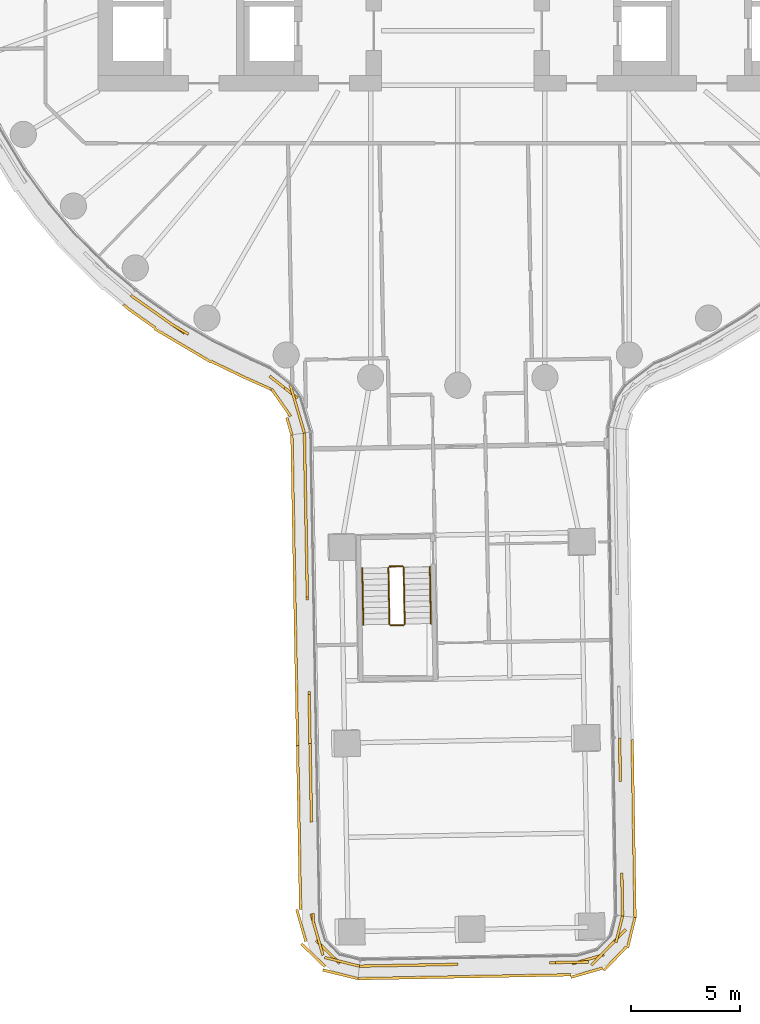
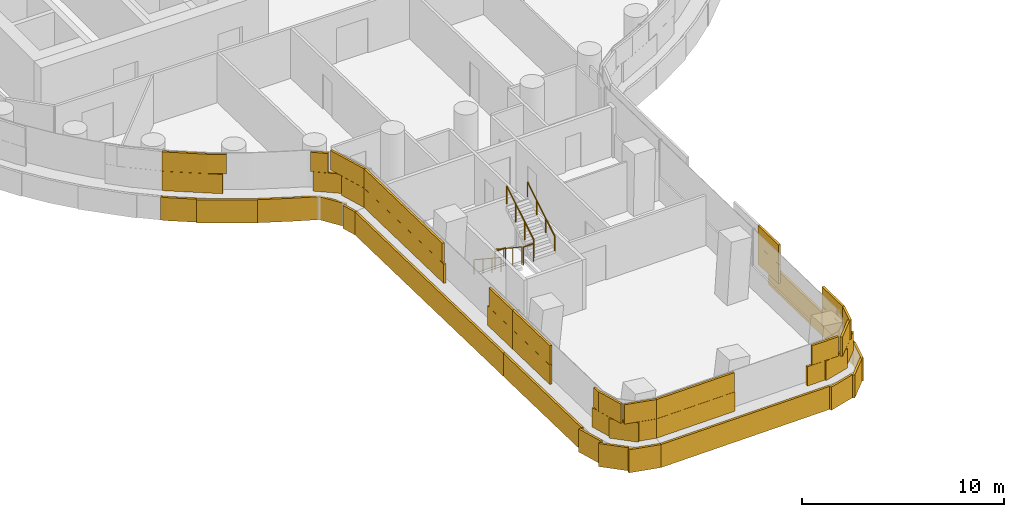
# One storey, part 25 of 31: 6 railings, 5 coverings.
"""IFC4 building model written with IfcOpenShell, lengths in metres."""

import ifcopenshell
import ifcopenshell.guid

model = None  # the IFC model being written
_history = None  # IfcOwnerHistory: only IFC2X3 demands one
_inside = {}  # id of a spatial element -> (the spatial element, [elements in it])
_under = {}  # id of a project, library or spatial element -> (it, [spatial elements below it])
_declared = {}  # id of a project -> (the project, [libraries it declares])
_typed = {}  # id of a type object -> (the type object, [elements of that type])
_made_of = {}  # id of a material, layer set ... -> (it, [elements and type objects made of it])


def new_model(schema):
    """Start an empty IFC model of exactly this schema.

    Asked for "IFC4X3", IfcOpenShell would pick the latest addendum, in which some entities
    have other attributes; the version numbers below select the first issue.
    IFC2X3 requires an IfcOwnerHistory on every rooted entity: one is made here for all.
    """
    global model, _history
    if schema == "IFC4X3":
        model = ifcopenshell.file(schema_version=(4, 3, 0, 0))
    else:
        model = ifcopenshell.file(schema=schema)
    _inside.clear()
    _under.clear()
    _declared.clear()
    _typed.clear()
    _made_of.clear()
    _history = None
    if model.schema == "IFC2X3":
        org = make("IfcOrganization", Name="unknown")
        user = make(
            "IfcPersonAndOrganization",
            ThePerson=make("IfcPerson", FamilyName="unknown"),
            TheOrganization=org,
        )
        app = make(
            "IfcApplication",
            ApplicationDeveloper=org,
            Version="unknown",
            ApplicationFullName="unknown",
            ApplicationIdentifier="unknown",
        )
        _history = make(
            "IfcOwnerHistory",
            OwningUser=user,
            OwningApplication=app,
            ChangeAction="ADDED",
            CreationDate=0,
        )
    return model


def make(cls, **values):
    """One entity of the class cls with the attributes given. An attribute that is None is left unset."""
    return model.create_entity(
        cls, **{name: value for name, value in values.items() if value is not None}
    )


def rooted(cls, **values):
    """An entity with a GlobalId (a new one), such as an element, a storey or a relation."""
    return make(cls, GlobalId=ifcopenshell.guid.new(), OwnerHistory=_history, **values)


def si_unit(unit_type, name, prefix=None):
    """IfcSIUnit, for example si_unit("LENGTHUNIT", "METRE", prefix="MILLI")."""
    return make("IfcSIUnit", UnitType=unit_type, Prefix=prefix, Name=name)


def assignment(units):
    """IfcUnitAssignment: the units of a project."""
    return None if units is None else make("IfcUnitAssignment", Units=units)


def point(xyz):
    """IfcCartesianPoint."""
    return None if xyz is None else make("IfcCartesianPoint", Coordinates=xyz)


def direction(xyz):
    """IfcDirection."""
    return None if xyz is None else make("IfcDirection", DirectionRatios=xyz)


def frame(location, z_axis=None, x_axis=None):
    """IfcAxis2Placement3D, a coordinate frame: its origin and axes. An axis left out is left unset."""
    return make(
        "IfcAxis2Placement3D",
        Location=point(location),
        Axis=direction(z_axis),
        RefDirection=direction(x_axis),
    )


def frame_2d(location, x_axis=None):
    """IfcAxis2Placement2D, a coordinate frame in the plane: its origin and x axis."""
    return make(
        "IfcAxis2Placement2D", Location=point(location), RefDirection=direction(x_axis)
    )


def origin():
    """The frame at (0, 0, 0) with its axes left unset."""
    return frame((0.0, 0.0, 0.0))


def origin_2d():
    """The frame at (0, 0) in the plane with its x axis left unset."""
    return frame_2d((0.0, 0.0))


def place(relative_to, where):
    """IfcLocalPlacement: puts the frame where relative to a parent placement (None: the world)."""
    return make(
        "IfcLocalPlacement", PlacementRelTo=relative_to, RelativePlacement=where
    )


def context(
    kind, dimensions, precision=None, world=None, true_north=None, identifier=None
):
    """IfcGeometricRepresentationContext, for example the 3D "Model" context."""
    return make(
        "IfcGeometricRepresentationContext",
        ContextIdentifier=identifier,
        ContextType=kind,
        CoordinateSpaceDimension=dimensions,
        Precision=precision,
        WorldCoordinateSystem=world,
        TrueNorth=true_north,
    )


def subcontext(parent, identifier, kind, view, scale=None):
    """IfcGeometricRepresentationSubContext, for example "Body" below "Model"."""
    return make(
        "IfcGeometricRepresentationSubContext",
        ContextIdentifier=identifier,
        ContextType=kind,
        ParentContext=parent,
        TargetScale=scale,
        TargetView=view,
    )


def project(units=None, contexts=None):
    """IfcProject with its units and contexts."""
    return rooted(
        "IfcProject",
        Name="project",
        RepresentationContexts=contexts,
        UnitsInContext=assignment(units),
    )


def spatial(cls, under=None, at=None, **own):
    """A site, building, storey or space (cls), placed at a placement, below another one or the project."""
    s = rooted(cls, ObjectPlacement=at, **own)
    if under is not None:
        _under.setdefault(under.id(), (under, []))[1].append(s)
    return s


def profile(cls, at=None, kind="AREA", **sizes):
    """A parametric profile (cls). Its sizes go by their IFC names, for example OverallWidth=200.0."""
    return make(cls, ProfileType=kind, Position=at, **sizes)


def rectangle(**sizes):
    """IfcRectangleProfileDef."""
    return profile("IfcRectangleProfileDef", **sizes)


def circle(**sizes):
    """IfcCircleProfileDef."""
    return profile("IfcCircleProfileDef", **sizes)


def extrude(swept, where, along, depth):
    """IfcExtrudedAreaSolid: the profile swept, set in the frame where, extruded along a direction by depth."""
    return make(
        "IfcExtrudedAreaSolid",
        SweptArea=swept,
        Position=where,
        ExtrudedDirection=direction(along),
        Depth=depth,
    )


def shape(context_of_items, identifier, shape_type, items):
    """IfcShapeRepresentation: the items that make up one representation, for example the "Body"."""
    return make(
        "IfcShapeRepresentation",
        ContextOfItems=context_of_items,
        RepresentationIdentifier=identifier,
        RepresentationType=shape_type,
        Items=items,
    )


def material(Name=None, Category=None):
    """IfcMaterial."""
    return make("IfcMaterial", Name=Name, Category=Category)


def layer(
    of_material, thickness, ventilated=None, Name=None, Category=None, Priority=None
):
    """IfcMaterialLayer: one layer of a wall or slab, of a material (None: an air gap)."""
    return make(
        "IfcMaterialLayer",
        Material=of_material,
        LayerThickness=thickness,
        IsVentilated=ventilated,
        Name=Name,
        Category=Category,
        Priority=Priority,
    )


def layer_set(layers, Name=None):
    """IfcMaterialLayerSet."""
    return make("IfcMaterialLayerSet", MaterialLayers=layers, LayerSetName=Name)


def made_of(thing, what):
    """Note that an element or type object is made of a material, layer set ...; save() writes the relation."""
    if what is not None:
        _made_of.setdefault(what.id(), (what, []))[1].append(thing)
    return thing


def type_object(cls, material=None, **own):
    """A type object (cls), such as IfcWallType, which elements share."""
    return made_of(rooted(cls, **own), material)


def element(
    cls,
    number,
    at=None,
    inside=None,
    cuts=None,
    type_object=None,
    material=None,
    context=None,
    identifier="Body",
    shape_type=None,
    held_by="IfcProductDefinitionShape",
    body=None,
    shapes=None,
    **own,
):
    """One element of the class cls, such as IfcWall. Its Tag is "e" and its number.

    at: its placement. inside: the storey or other place that contains it. cuts: it is an
    opening in that element (IfcRelVoidsElement). A single representation is given by context,
    identifier, shape_type and body (its items); several are given by shapes. held_by: the class
    of the entity that holds the representations. save() writes the other relations.
    """
    e = rooted(cls, Tag="e%d" % number, ObjectPlacement=at, **own)
    if body is not None:
        shapes = [shape(context, identifier, shape_type, body)]
    if shapes is not None:
        e.Representation = make(held_by, Representations=shapes)
    if inside is not None:
        _inside.setdefault(inside.id(), (inside, []))[1].append(e)
    if cuts is not None:
        rooted(
            "IfcRelVoidsElement", RelatingBuildingElement=cuts, RelatedOpeningElement=e
        )
    if type_object is not None:
        _typed.setdefault(type_object.id(), (type_object, []))[1].append(e)
    return made_of(e, material)


def aggregate(whole, parts):
    """IfcRelAggregates: a whole, such as a stair, and the parts it consists of."""
    return rooted("IfcRelAggregates", RelatingObject=whole, RelatedObjects=parts)


def save(model, path):
    """Write the relations noted so far, then the file.

    IfcRelAggregates (storeys below a building ...), IfcRelContainedInSpatialStructure (elements
    in a storey), IfcRelDefinesByType, IfcRelAssociatesMaterial and IfcRelDeclares: one each for
    every whole, place, type object, material and project.
    """
    for whole, parts in _under.values():
        aggregate(whole, parts)
    for where, things in _inside.values():
        rooted(
            "IfcRelContainedInSpatialStructure",
            RelatedElements=things,
            RelatingStructure=where,
        )
    for kind, things in _typed.values():
        rooted("IfcRelDefinesByType", RelatedObjects=things, RelatingType=kind)
    for what, things in _made_of.values():
        rooted("IfcRelAssociatesMaterial", RelatedObjects=things, RelatingMaterial=what)
    for by, libraries in _declared.values():
        rooted("IfcRelDeclares", RelatingContext=by, RelatedDefinitions=libraries)
    model.write(path)


model = new_model("IFC4")

# Units and contexts
model_context = context("Model", 3, precision=1e-05, world=origin(), true_north=direction((0.0, 1.0)))
body_context = subcontext(model_context, "Body", "Model", "MODEL_VIEW")
ifc_project = project(units=[si_unit("LENGTHUNIT", "METRE"), si_unit("AREAUNIT", "SQUARE_METRE"), si_unit("VOLUMEUNIT", "CUBIC_METRE"), si_unit("PLANEANGLEUNIT", "RADIAN"), si_unit("MASSUNIT", "GRAM", prefix="KILO")], contexts=[model_context])

# Site, building, storey
site_placement = place(None, origin())
site = spatial("IfcSite", under=ifc_project, at=site_placement, CompositionType="ELEMENT")
building_placement = place(site_placement, origin())
building = spatial("IfcBuilding", under=site, at=building_placement, Name="Tamarind Cross Interchange Tower", CompositionType="ELEMENT")
storey_placement = place(building_placement, frame((0.0, 0.0, 37.75)))
storey = spatial("IfcBuildingStorey", under=building, at=storey_placement, Name="L07", CompositionType="ELEMENT", Elevation=37.75)

# Railings
ifc_material_1 = material(Name="Stair guard")
railing_type_1 = type_object("IfcRailingType", Name="Stair guard", PredefinedType="GUARDRAIL", material=ifc_material_1)
railing_1_placement = place(storey_placement, frame((-3.179931640625, -31.359619140625, 0.17041015625)))
element("IfcRailing", 1, at=railing_1_placement, inside=storey, type_object=railing_type_1, Name="L07 ST6 stair guard 1", PredefinedType="GUARDRAIL", context=body_context, shape_type="SweptSolid", body=[
    extrude(circle(Radius=0.02392578125, at=origin_2d()), frame((0.0, 0.0, 1.076171875), z_axis=(0.015235283029, -0.836134321691, 0.548313124265), x_axis=(0.999834037171, 0.01821807112, 0.0)), (0.0, 0.0, 1.0), 3.10888671875),
    extrude(circle(Radius=0.02099609375, at=origin_2d()), origin(), (0.0, 0.0, 1.0), 1.052001953125),
    extrude(circle(Radius=0.02099609375, at=origin_2d()), frame((0.015869140625, -0.866455078125, 0.568115234375)), (0.0, 0.0, 1.0), 1.052001953125),
    extrude(circle(Radius=0.02099609375, at=origin_2d()), frame((0.031494140625, -1.73291015625, 1.136474609375)), (0.0, 0.0, 1.0), 1.052001953125),
    extrude(circle(Radius=0.02099609375, at=origin_2d()), frame((0.04736328125, -2.599365234375, 1.70458984375)), (0.0, 0.0, 1.0), 1.052001953125),
])
railing_2_placement = place(storey_placement, frame((-3.08154296875, -34.00830078125, 1.875)))
element("IfcRailing", 2, at=railing_2_placement, inside=storey, type_object=railing_type_1, Name="L07 ST6 stair guard 2", PredefinedType="GUARDRAIL", context=body_context, shape_type="SweptSolid", body=[
    extrude(circle(Radius=0.02392578125, at=origin_2d()), frame((0.0, 0.0, 1.076171875), z_axis=(0.999832322235, 0.018311947294, 0.0), x_axis=(-0.018311947294, 0.999832322235, 0.0)), (0.0, 0.0, 1.0), 0.599853515625),
    extrude(circle(Radius=0.02099609375, at=origin_2d()), origin(), (0.0, 0.0, 1.0), 1.052001953125),
    extrude(circle(Radius=0.02099609375, at=origin_2d()), frame((0.599853515625, 0.010986328125, 0.0)), (0.0, 0.0, 1.0), 1.052001953125),
])
railing_3_placement = place(storey_placement, frame((-2.4326171875, -33.9462890625, 2.04541015625)))
element("IfcRailing", 3, at=railing_3_placement, inside=storey, type_object=railing_type_1, Name="L07 ST6 stair guard 3", PredefinedType="GUARDRAIL", context=body_context, shape_type="SweptSolid", body=[
    extrude(circle(Radius=0.02392578125, at=origin_2d()), frame((0.0, 0.0, 1.076171875), z_axis=(-0.015234282677, 0.836157948141, 0.548277121893), x_axis=(-0.999834068334, -0.018216360749, 0.0)), (0.0, 0.0, 1.0), 3.10888671875),
    extrude(circle(Radius=0.02099609375, at=origin_2d()), origin(), (0.0, 0.0, 1.0), 1.052001953125),
    extrude(circle(Radius=0.02099609375, at=origin_2d()), frame((-0.015869140625, 0.866455078125, 0.568115234375)), (0.0, 0.0, 1.0), 1.052001953125),
    extrude(circle(Radius=0.02099609375, at=origin_2d()), frame((-0.031494140625, 1.733154296875, 1.136474609375)), (0.0, 0.0, 1.0), 1.052001953125),
    extrude(circle(Radius=0.02099609375, at=origin_2d()), frame((-0.04736328125, 2.599609375, 1.70458984375)), (0.0, 0.0, 1.0), 1.052001953125),
])
railing_4_placement = place(storey_placement, frame((-3.130859375, -31.30859375, 0.0)))
element("IfcRailing", 4, at=railing_4_placement, inside=storey, type_object=railing_type_1, Name="L07 ST6 stair guard 4", PredefinedType="GUARDRAIL", context=body_context, shape_type="SweptSolid", body=[
    extrude(circle(Radius=0.02392578125, at=origin_2d()), frame((0.0, 0.0, 1.076171875), z_axis=(0.999832322235, 0.018311947294, 0.0), x_axis=(-0.018311947294, 0.999832322235, 0.0)), (0.0, 0.0, 1.0), 0.599853515625),
    extrude(circle(Radius=0.02099609375, at=origin_2d()), origin(), (0.0, 0.0, 1.0), 1.052001953125),
    extrude(circle(Radius=0.02099609375, at=origin_2d()), frame((0.599853515625, 0.010986328125, 0.0)), (0.0, 0.0, 1.0), 1.052001953125),
])
ifc_material_2 = material(Name="Stair handrail")
railing_type_2 = type_object("IfcRailingType", Name="Stair handrail", PredefinedType="HANDRAIL", material=ifc_material_2)
railing_5_placement = place(storey_placement, frame((-4.379638671875, -31.38134765625, 0.17041015625)))
element("IfcRailing", 5, at=railing_5_placement, inside=storey, type_object=railing_type_2, Name="L07 ST6 stair handrail 1", PredefinedType="HANDRAIL", context=body_context, shape_type="SweptSolid", body=[
    extrude(circle(Radius=0.02392578125, at=origin_2d()), frame((0.0, 0.0, 0.8759765625), z_axis=(0.015234282677, -0.836157948141, 0.548277121893), x_axis=(0.999834068334, 0.018216360749, 0.0)), (0.0, 0.0, 1.0), 3.10888671875),
    extrude(circle(Radius=0.02099609375, at=origin_2d()), origin(), (0.0, 0.0, 1.0), 0.851806640625),
    extrude(circle(Radius=0.02099609375, at=origin_2d()), frame((0.015869140625, -0.866455078125, 0.568115234375)), (0.0, 0.0, 1.0), 0.851806640625),
    extrude(circle(Radius=0.02099609375, at=origin_2d()), frame((0.031494140625, -1.733154296875, 1.136474609375)), (0.0, 0.0, 1.0), 0.851806640625),
    extrude(circle(Radius=0.02099609375, at=origin_2d()), frame((0.04736328125, -2.599609375, 1.70458984375)), (0.0, 0.0, 1.0), 0.851806640625),
])
railing_6_placement = place(storey_placement, frame((-1.232666015625, -33.924560546875, 2.04541015625)))
element("IfcRailing", 6, at=railing_6_placement, inside=storey, type_object=railing_type_2, Name="L07 ST6 stair handrail 2", PredefinedType="HANDRAIL", context=body_context, shape_type="SweptSolid", body=[
    extrude(circle(Radius=0.02392578125, at=origin_2d()), frame((0.0, 0.0, 0.8759765625), z_axis=(-0.015312791541, 0.836156945264, 0.548276464297), x_axis=(-0.999832353721, -0.018310228116, 0.0)), (0.0, 0.0, 1.0), 3.10888671875),
    extrude(circle(Radius=0.02099609375, at=origin_2d()), origin(), (0.0, 0.0, 1.0), 0.851806640625),
    extrude(circle(Radius=0.02099609375, at=origin_2d()), frame((-0.015869140625, 0.866455078125, 0.568115234375)), (0.0, 0.0, 1.0), 0.851806640625),
    extrude(circle(Radius=0.02099609375, at=origin_2d()), frame((-0.03173828125, 1.733154296875, 1.136474609375)), (0.0, 0.0, 1.0), 0.851806640625),
    extrude(circle(Radius=0.02099609375, at=origin_2d()), frame((-0.047607421875, 2.599609375, 1.70458984375)), (0.0, 0.0, 1.0), 0.851806640625),
])

# Coverings
ifc_material_3 = material(Name="Terracotta", Category="masonry")
ifc_layer = layer(ifc_material_3, 0.1201171875)
ifc_layer_set = layer_set([ifc_layer], Name="Terracotta")
covering_type = type_object("IfcCoveringType", Name="Terracotta baguette screen unit", PredefinedType="MOLDING", material=ifc_layer_set)
covering_1_placement = place(storey_placement, origin())
element("IfcCovering", 7, at=covering_1_placement, inside=storey, type_object=covering_type, Name="SCR-L07-06-01", PredefinedType="MOLDING", context=body_context, shape_type="SweptSolid", body=[
    extrude(rectangle(XDim=1.50341796875, YDim=0.1201171875, at=origin_2d()), frame((-14.371826171875, -19.311279296875, 1.404052734375), z_axis=(0.0, 0.0, 1.0), x_axis=(0.816341886298, -0.577568978284, 0.0)), (0.0, 0.0, 1.0), 1.1669921875),
    extrude(rectangle(XDim=1.52001953125, YDim=0.1201171875, at=origin_2d()), frame((-13.150146484375, -20.17578125, 1.404052734375), z_axis=(0.0, 0.0, 1.0), x_axis=(0.816341886298, -0.577568978284, 0.0)), (0.0, 0.0, 1.0), 1.1669921875),
    extrude(rectangle(XDim=1.52001953125, YDim=0.1201171875, at=origin_2d()), frame((-7.944580078125, -23.116943359375, 1.404052734375), z_axis=(0.0, 0.0, 1.0), x_axis=(0.785580052511, -0.618760035148, 0.0)), (0.0, 0.0, 1.0), 1.1669921875),
    extrude(rectangle(XDim=1.52001953125, YDim=0.1201171875, at=origin_2d()), frame((-7.261474609375, -24.4111328125, 1.404052734375), z_axis=(0.0, 0.0, 1.0), x_axis=(0.282423184305, -0.959289917057, 0.0)), (0.0, 0.0, 1.0), 1.1669921875),
    extrude(rectangle(XDim=0.068603515625, YDim=0.1201171875, at=origin_2d()), frame((-7.041259765625, -25.15869140625, 1.404052734375), z_axis=(0.0, 0.0, 1.0), x_axis=(0.282423184305, -0.959289917057, 0.0)), (0.0, 0.0, 1.0), 1.1669921875),
    extrude(rectangle(XDim=0.75341796875, YDim=0.1201171875, at=origin_2d()), frame((-14.677978515625, -19.0947265625, 2.5791015625), z_axis=(0.0, 0.0, 1.0), x_axis=(0.816341886298, -0.577568978284, 0.0)), (0.0, 0.0, 1.0), 1.1669921875),
    extrude(rectangle(XDim=1.52001953125, YDim=0.1201171875, at=origin_2d()), frame((-13.76220703125, -19.74267578125, 2.5791015625), z_axis=(0.0, 0.0, 1.0), x_axis=(0.816341886298, -0.577568978284, 0.0)), (0.0, 0.0, 1.0), 1.1669921875),
    extrude(rectangle(XDim=0.942626953125, YDim=0.1201171875, at=origin_2d()), frame((-12.751953125, -20.418212890625, 2.5791015625), z_axis=(0.0, 0.0, 1.0), x_axis=(0.861248933065, -0.508183308752, 0.0)), (0.0, 0.0, 1.0), 1.1669921875),
    extrude(rectangle(XDim=0.87744140625, YDim=0.1201171875, at=origin_2d()), frame((-8.28515625, -22.848388671875, 2.5791015625), z_axis=(0.0, 0.0, 1.0), x_axis=(0.785580052511, -0.618760035148, 0.0)), (0.0, 0.0, 1.0), 1.1669921875),
    extrude(rectangle(XDim=1.52001953125, YDim=0.1201171875, at=origin_2d()), frame((-7.473388671875, -23.691650390625, 2.5791015625), z_axis=(0.0, 0.0, 1.0), x_axis=(0.282423184305, -0.959289917057, 0.0)), (0.0, 0.0, 1.0), 1.1669921875),
    extrude(rectangle(XDim=0.818603515625, YDim=0.1201171875, at=origin_2d()), frame((-7.147216796875, -24.798828125, 2.5791015625), z_axis=(0.0, 0.0, 1.0), x_axis=(0.282423184305, -0.959289917057, 0.0)), (0.0, 0.0, 1.0), 1.1669921875),
    extrude(rectangle(XDim=0.315673828125, YDim=0.1201171875, at=origin_2d()), frame((-15.200927734375, -19.40966796875, 0.00390625), z_axis=(0.0, 0.0, 1.0), x_axis=(0.765858396687, -0.643009266048, 0.0)), (0.0, 0.0, 1.0), 1.39208984375),
    extrude(rectangle(XDim=1.52001953125, YDim=0.1201171875, at=origin_2d()), frame((-14.47705078125, -19.940185546875, 0.00390625), z_axis=(0.0, 0.0, 1.0), x_axis=(0.816341886298, -0.577568978284, 0.0)), (0.0, 0.0, 1.0), 1.39208984375),
    extrude(rectangle(XDim=1.52001953125, YDim=0.1201171875, at=origin_2d()), frame((-13.24462890625, -20.7939453125, 0.00390625), z_axis=(0.0, 0.0, 1.0), x_axis=(0.861248933065, -0.508183308752, 0.0)), (0.0, 0.0, 1.0), 1.39208984375),
    extrude(rectangle(XDim=1.52001953125, YDim=0.1201171875, at=origin_2d()), frame((-11.95263671875, -21.556396484375, 0.00390625), z_axis=(0.0, 0.0, 1.0), x_axis=(0.861248933065, -0.508183308752, 0.0)), (0.0, 0.0, 1.0), 1.39208984375),
    extrude(rectangle(XDim=1.52001953125, YDim=0.1201171875, at=origin_2d()), frame((-10.6162109375, -22.2353515625, 0.00390625), z_axis=(0.0, 0.0, 1.0), x_axis=(0.900272776334, -0.435326231914, 0.0)), (0.0, 0.0, 1.0), 1.39208984375),
    extrude(rectangle(XDim=1.52001953125, YDim=0.1201171875, at=origin_2d()), frame((-9.258056640625, -22.871826171875, 0.00390625), z_axis=(0.0, 0.0, 1.0), x_axis=(0.912773653223, -0.408465736607, 0.0)), (0.0, 0.0, 1.0), 1.39208984375),
    extrude(rectangle(XDim=1.52001953125, YDim=0.1201171875, at=origin_2d()), frame((-8.096435546875, -23.798583984375, 0.00390625), z_axis=(0.0, 0.0, 1.0), x_axis=(0.571637679579, -0.820506162857, 0.0)), (0.0, 0.0, 1.0), 1.39208984375),
    extrude(rectangle(XDim=0.823486328125, YDim=0.1201171875, at=origin_2d()), frame((-7.721923828125, -24.879638671875, 0.00390625), z_axis=(0.0, 0.0, 1.0), x_axis=(0.282423184305, -0.959289917057, 0.0)), (0.0, 0.0, 1.0), 1.39208984375),
])
covering_2_placement = place(storey_placement, origin())
element("IfcCovering", 8, at=covering_2_placement, inside=storey, type_object=covering_type, Name="SCR-L07-07-00", PredefinedType="MOLDING", context=body_context, shape_type="SweptSolid", body=[
    extrude(rectangle(XDim=0.760009765625, YDim=0.1201171875, at=origin_2d()), frame((-7.026123046875, -25.561767578125, 1.404052734375), z_axis=(0.0, 0.0, 1.0), x_axis=(0.018234189439, -0.999833743347, 0.0)), (0.0, 0.0, 1.0), 1.1669921875),
    extrude(rectangle(XDim=1.52001953125, YDim=0.1201171875, at=origin_2d()), frame((-7.005615234375, -26.6865234375, 1.404052734375), z_axis=(0.0, 0.0, 1.0), x_axis=(0.018234189439, -0.999833743347, 0.0)), (0.0, 0.0, 1.0), 1.1669921875),
    extrude(rectangle(XDim=1.52001953125, YDim=0.1201171875, at=origin_2d()), frame((-6.978271484375, -28.186279296875, 1.404052734375), z_axis=(0.0, 0.0, 1.0), x_axis=(0.018234189439, -0.999833743347, 0.0)), (0.0, 0.0, 1.0), 1.1669921875),
    extrude(rectangle(XDim=1.52001953125, YDim=0.1201171875, at=origin_2d()), frame((-6.950927734375, -29.68603515625, 1.404052734375), z_axis=(0.0, 0.0, 1.0), x_axis=(0.018234189439, -0.999833743347, 0.0)), (0.0, 0.0, 1.0), 1.1669921875),
    extrude(rectangle(XDim=1.52001953125, YDim=0.1201171875, at=origin_2d()), frame((-6.923583984375, -31.185791015625, 1.404052734375), z_axis=(0.0, 0.0, 1.0), x_axis=(0.018234189439, -0.999833743347, 0.0)), (0.0, 0.0, 1.0), 1.1669921875),
    extrude(rectangle(XDim=0.9140625, YDim=0.1201171875, at=origin_2d()), frame((-6.90185546875, -32.3876953125, 1.404052734375), z_axis=(0.0, 0.0, 1.0), x_axis=(0.018234189439, -0.999833743347, 0.0)), (0.0, 0.0, 1.0), 1.1669921875),
    extrude(rectangle(XDim=0.906005859375, YDim=0.1201171875, at=origin_2d()), frame((-6.808837890625, -37.48681640625, 1.404052734375), z_axis=(0.0, 0.0, 1.0), x_axis=(0.018234189439, -0.999833743347, 0.0)), (0.0, 0.0, 1.0), 1.1669921875),
    extrude(rectangle(XDim=1.52001953125, YDim=0.1201171875, at=origin_2d()), frame((-6.786865234375, -38.6845703125, 1.404052734375), z_axis=(0.0, 0.0, 1.0), x_axis=(0.018234189439, -0.999833743347, 0.0)), (0.0, 0.0, 1.0), 1.1669921875),
    extrude(rectangle(XDim=1.510009765625, YDim=0.1201171875, at=origin_2d()), frame((-7.019287109375, -25.936767578125, 2.5791015625), z_axis=(0.0, 0.0, 1.0), x_axis=(0.018234189439, -0.999833743347, 0.0)), (0.0, 0.0, 1.0), 1.1669921875),
    extrude(rectangle(XDim=1.52001953125, YDim=0.1201171875, at=origin_2d()), frame((-6.991943359375, -27.4365234375, 2.5791015625), z_axis=(0.0, 0.0, 1.0), x_axis=(0.018234189439, -0.999833743347, 0.0)), (0.0, 0.0, 1.0), 1.1669921875),
    extrude(rectangle(XDim=1.52001953125, YDim=0.1201171875, at=origin_2d()), frame((-6.964599609375, -28.936279296875, 2.5791015625), z_axis=(0.0, 0.0, 1.0), x_axis=(0.018234189439, -0.999833743347, 0.0)), (0.0, 0.0, 1.0), 1.1669921875),
    extrude(rectangle(XDim=1.52001953125, YDim=0.1201171875, at=origin_2d()), frame((-6.937255859375, -30.43603515625, 2.5791015625), z_axis=(0.0, 0.0, 1.0), x_axis=(0.018234189439, -0.999833743347, 0.0)), (0.0, 0.0, 1.0), 1.1669921875),
    extrude(rectangle(XDim=1.52001953125, YDim=0.1201171875, at=origin_2d()), frame((-6.909912109375, -31.935791015625, 2.5791015625), z_axis=(0.0, 0.0, 1.0), x_axis=(0.018234189439, -0.999833743347, 0.0)), (0.0, 0.0, 1.0), 1.1669921875),
    extrude(rectangle(XDim=1.52001953125, YDim=0.1201171875, at=origin_2d()), frame((-6.800537109375, -37.9345703125, 2.5791015625), z_axis=(0.0, 0.0, 1.0), x_axis=(0.018234189439, -0.999833743347, 0.0)), (0.0, 0.0, 1.0), 1.1669921875),
    extrude(rectangle(XDim=0.763916015625, YDim=0.1201171875, at=origin_2d()), frame((-6.780029296875, -39.0615234375, 2.5791015625), z_axis=(0.0, 0.0, 1.0), x_axis=(0.018234189439, -0.999833743347, 0.0)), (0.0, 0.0, 1.0), 1.1669921875),
    extrude(rectangle(XDim=0.760009765625, YDim=0.1201171875, at=origin_2d()), frame((-7.5986328125, -25.654541015625, 0.00390625), z_axis=(0.0, 0.0, 1.0), x_axis=(0.018234189439, -0.999833743347, 0.0)), (0.0, 0.0, 1.0), 1.39208984375),
    extrude(rectangle(XDim=1.52001953125, YDim=0.1201171875, at=origin_2d()), frame((-7.578125, -26.7744140625, 0.00390625), z_axis=(0.0, 0.0, 1.0), x_axis=(0.018234189439, -0.999833743347, 0.0)), (0.0, 0.0, 1.0), 1.39208984375),
    extrude(rectangle(XDim=1.52001953125, YDim=0.1201171875, at=origin_2d()), frame((-7.55078125, -28.274169921875, 0.00390625), z_axis=(0.0, 0.0, 1.0), x_axis=(0.018234189439, -0.999833743347, 0.0)), (0.0, 0.0, 1.0), 1.39208984375),
    extrude(rectangle(XDim=1.52001953125, YDim=0.1201171875, at=origin_2d()), frame((-7.5234375, -29.77392578125, 0.00390625), z_axis=(0.0, 0.0, 1.0), x_axis=(0.018234189439, -0.999833743347, 0.0)), (0.0, 0.0, 1.0), 1.39208984375),
    extrude(rectangle(XDim=1.52001953125, YDim=0.1201171875, at=origin_2d()), frame((-7.49609375, -31.273681640625, 0.00390625), z_axis=(0.0, 0.0, 1.0), x_axis=(0.018234189439, -0.999833743347, 0.0)), (0.0, 0.0, 1.0), 1.39208984375),
    extrude(rectangle(XDim=1.52001953125, YDim=0.1201171875, at=origin_2d()), frame((-7.46875, -32.7734375, 0.00390625), z_axis=(0.0, 0.0, 1.0), x_axis=(0.018234189439, -0.999833743347, 0.0)), (0.0, 0.0, 1.0), 1.39208984375),
    extrude(rectangle(XDim=1.52001953125, YDim=0.1201171875, at=origin_2d()), frame((-7.44140625, -34.273193359375, 0.00390625), z_axis=(0.0, 0.0, 1.0), x_axis=(0.018234189439, -0.999833743347, 0.0)), (0.0, 0.0, 1.0), 1.39208984375),
    extrude(rectangle(XDim=1.52001953125, YDim=0.1201171875, at=origin_2d()), frame((-7.4140625, -35.77294921875, 0.00390625), z_axis=(0.0, 0.0, 1.0), x_axis=(0.018234189439, -0.999833743347, 0.0)), (0.0, 0.0, 1.0), 1.39208984375),
    extrude(rectangle(XDim=1.52001953125, YDim=0.1201171875, at=origin_2d()), frame((-7.38671875, -37.272705078125, 0.00390625), z_axis=(0.0, 0.0, 1.0), x_axis=(0.018234189439, -0.999833743347, 0.0)), (0.0, 0.0, 1.0), 1.39208984375),
    extrude(rectangle(XDim=1.52001953125, YDim=0.1201171875, at=origin_2d()), frame((-7.359375, -38.7724609375, 0.00390625), z_axis=(0.0, 0.0, 1.0), x_axis=(0.018234189439, -0.999833743347, 0.0)), (0.0, 0.0, 1.0), 1.39208984375),
])
covering_3_placement = place(storey_placement, origin())
element("IfcCovering", 9, at=covering_3_placement, inside=storey, type_object=covering_type, Name="SCR-L07-07-01", PredefinedType="MOLDING", context=body_context, shape_type="SweptSolid", body=[
    extrude(rectangle(XDim=1.506103515625, YDim=0.1201171875, at=origin_2d()), frame((-6.759521484375, -40.186279296875, 1.404052734375), z_axis=(0.0, 0.0, 1.0), x_axis=(0.018234189439, -0.999833743347, 0.0)), (0.0, 0.0, 1.0), 1.1669921875),
    extrude(rectangle(XDim=1.52001953125, YDim=0.1201171875, at=origin_2d()), frame((-6.732177734375, -41.68408203125, 1.404052734375), z_axis=(0.0, 0.0, 1.0), x_axis=(0.018234189439, -0.999833743347, 0.0)), (0.0, 0.0, 1.0), 1.1669921875),
    extrude(rectangle(XDim=0.603271484375, YDim=0.1201171875, at=origin_2d()), frame((-6.713134765625, -42.73046875, 1.404052734375), z_axis=(0.0, 0.0, 1.0), x_axis=(0.018234189439, -0.999833743347, 0.0)), (0.0, 0.0, 1.0), 1.1669921875),
    extrude(rectangle(XDim=1.216796875, YDim=0.1201171875, at=origin_2d()), frame((-6.55810546875, -47.8203125, 1.404052734375), z_axis=(0.0, 0.0, 1.0), x_axis=(0.276388889215, -0.961045879195, 0.0)), (0.0, 0.0, 1.0), 1.1669921875),
    extrude(rectangle(XDim=1.52001953125, YDim=0.1201171875, at=origin_2d()), frame((-5.95263671875, -48.981689453125, 1.404052734375), z_axis=(0.0, 0.0, 1.0), x_axis=(0.719882738982, -0.694095700978, 0.0)), (0.0, 0.0, 1.0), 1.1669921875),
    extrude(rectangle(XDim=0.892578125, YDim=0.1201171875, at=origin_2d()), frame((-4.93701171875, -49.523193359375, 1.404052734375), z_axis=(0.0, 0.0, 1.0), x_axis=(0.970484590193, -0.241163140214, 0.0)), (0.0, 0.0, 1.0), 1.1669921875),
    extrude(rectangle(XDim=0.756103515625, YDim=0.1201171875, at=origin_2d()), frame((-6.766357421875, -39.811279296875, 2.5791015625), z_axis=(0.0, 0.0, 1.0), x_axis=(0.018234189439, -0.999833743347, 0.0)), (0.0, 0.0, 1.0), 1.1669921875),
    extrude(rectangle(XDim=1.52001953125, YDim=0.1201171875, at=origin_2d()), frame((-6.745849609375, -40.93408203125, 2.5791015625), z_axis=(0.0, 0.0, 1.0), x_axis=(0.018234189439, -0.999833743347, 0.0)), (0.0, 0.0, 1.0), 1.1669921875),
    extrude(rectangle(XDim=1.353271484375, YDim=0.1201171875, at=origin_2d()), frame((-6.719970703125, -42.355712890625, 2.5791015625), z_axis=(0.0, 0.0, 1.0), x_axis=(0.018234189439, -0.999833743347, 0.0)), (0.0, 0.0, 1.0), 1.1669921875),
    extrude(rectangle(XDim=0.466796875, YDim=0.1201171875, at=origin_2d()), frame((-6.626953125, -47.454833984375, 2.5791015625), z_axis=(0.0, 0.0, 1.0), x_axis=(0.018234189439, -0.999833743347, 0.0)), (0.0, 0.0, 1.0), 1.1669921875),
    extrude(rectangle(XDim=1.52001953125, YDim=0.1201171875, at=origin_2d()), frame((-6.391357421875, -48.400146484375, 2.5791015625), z_axis=(0.0, 0.0, 1.0), x_axis=(0.276388889215, -0.961045879195, 0.0)), (0.0, 0.0, 1.0), 1.1669921875),
    extrude(rectangle(XDim=1.52001953125, YDim=0.1201171875, at=origin_2d()), frame((-5.365478515625, -49.416748046875, 2.5791015625), z_axis=(0.0, 0.0, 1.0), x_axis=(0.970484590193, -0.241163140214, 0.0)), (0.0, 0.0, 1.0), 1.1669921875),
    extrude(rectangle(XDim=0.142578125, YDim=0.1201171875, at=origin_2d()), frame((-4.5732421875, -49.61376953125, 2.5791015625), z_axis=(0.0, 0.0, 1.0), x_axis=(0.970484590193, -0.241163140214, 0.0)), (0.0, 0.0, 1.0), 1.1669921875),
    extrude(rectangle(XDim=1.50732421875, YDim=0.1201171875, at=origin_2d()), frame((-7.33203125, -40.278564453125, 0.00390625), z_axis=(0.0, 0.0, 1.0), x_axis=(0.018234189439, -0.999833743347, 0.0)), (0.0, 0.0, 1.0), 1.39208984375),
    extrude(rectangle(XDim=1.52001953125, YDim=0.1201171875, at=origin_2d()), frame((-7.3046875, -41.77197265625, 0.00390625), z_axis=(0.0, 0.0, 1.0), x_axis=(0.018234189439, -0.999833743347, 0.0)), (0.0, 0.0, 1.0), 1.39208984375),
    extrude(rectangle(XDim=1.52001953125, YDim=0.1201171875, at=origin_2d()), frame((-7.27734375, -43.271728515625, 0.00390625), z_axis=(0.0, 0.0, 1.0), x_axis=(0.018234189439, -0.999833743347, 0.0)), (0.0, 0.0, 1.0), 1.39208984375),
    extrude(rectangle(XDim=1.52001953125, YDim=0.1201171875, at=origin_2d()), frame((-7.25, -44.771484375, 0.00390625), z_axis=(0.0, 0.0, 1.0), x_axis=(0.018234189439, -0.999833743347, 0.0)), (0.0, 0.0, 1.0), 1.39208984375),
    extrude(rectangle(XDim=1.52001953125, YDim=0.1201171875, at=origin_2d()), frame((-7.22265625, -46.271240234375, 0.00390625), z_axis=(0.0, 0.0, 1.0), x_axis=(0.018234189439, -0.999833743347, 0.0)), (0.0, 0.0, 1.0), 1.39208984375),
    extrude(rectangle(XDim=1.52001953125, YDim=0.1201171875, at=origin_2d()), frame((-7.170654296875, -47.767333984375, 0.00390625), z_axis=(0.0, 0.0, 1.0), x_axis=(0.276388889215, -0.961045879195, 0.0)), (0.0, 0.0, 1.0), 1.39208984375),
    extrude(rectangle(XDim=1.52001953125, YDim=0.1201171875, at=origin_2d()), frame((-6.62548828125, -49.130126953125, 0.00390625), z_axis=(0.0, 0.0, 1.0), x_axis=(0.719882738982, -0.694095700978, 0.0)), (0.0, 0.0, 1.0), 1.39208984375),
    extrude(rectangle(XDim=1.52001953125, YDim=0.1201171875, at=origin_2d()), frame((-5.444580078125, -49.988525390625, 0.00390625), z_axis=(0.0, 0.0, 1.0), x_axis=(0.970484590193, -0.241163140214, 0.0)), (0.0, 0.0, 1.0), 1.39208984375),
    extrude(rectangle(XDim=0.1572265625, YDim=0.1201171875, at=origin_2d()), frame((-4.650146484375, -50.18603515625, 0.00390625), z_axis=(0.0, 0.0, 1.0), x_axis=(0.970484590193, -0.241163140214, 0.0)), (0.0, 0.0, 1.0), 1.39208984375),
])
covering_4_placement = place(storey_placement, origin())
element("IfcCovering", 10, at=covering_4_placement, inside=storey, type_object=covering_type, Name="SCR-L07-08-00", PredefinedType="MOLDING", context=body_context, shape_type="SweptSolid", body=[
    extrude(rectangle(XDim=0.760009765625, YDim=0.1201171875, at=origin_2d()), frame((-4.1337890625, -49.622802734375, 1.404052734375), z_axis=(0.0, 0.0, 1.0), x_axis=(0.999833743347, 0.018234189439, 0.0)), (0.0, 0.0, 1.0), 1.1669921875),
    extrude(rectangle(XDim=1.52001953125, YDim=0.1201171875, at=origin_2d()), frame((-3.009033203125, -49.602294921875, 1.404052734375), z_axis=(0.0, 0.0, 1.0), x_axis=(0.999833743347, 0.018234189439, 0.0)), (0.0, 0.0, 1.0), 1.1669921875),
    extrude(rectangle(XDim=1.52001953125, YDim=0.1201171875, at=origin_2d()), frame((-1.50927734375, -49.574951171875, 1.404052734375), z_axis=(0.0, 0.0, 1.0), x_axis=(0.999833743347, 0.018234189439, 0.0)), (0.0, 0.0, 1.0), 1.1669921875),
    extrude(rectangle(XDim=0.784912109375, YDim=0.1201171875, at=origin_2d()), frame((-0.3720703125, -49.55419921875, 1.404052734375), z_axis=(0.0, 0.0, 1.0), x_axis=(0.999833743347, 0.018234189439, 0.0)), (0.0, 0.0, 1.0), 1.1669921875),
    extrude(rectangle(XDim=1.03515625, YDim=0.1201171875, at=origin_2d()), frame((4.72705078125, -49.461181640625, 1.404052734375), z_axis=(0.0, 0.0, 1.0), x_axis=(0.999833743347, 0.018234189439, 0.0)), (0.0, 0.0, 1.0), 1.1669921875),
    extrude(rectangle(XDim=1.52001953125, YDim=0.1201171875, at=origin_2d()), frame((5.970947265625, -49.315185546875, 1.404052734375), z_axis=(0.0, 0.0, 1.0), x_axis=(0.961045879195, 0.276388889215, 0.0)), (0.0, 0.0, 1.0), 1.1669921875),
    extrude(rectangle(XDim=1.52001953125, YDim=0.1201171875, at=origin_2d()), frame((7.1708984375, -48.499267578125, 1.404052734375), z_axis=(0.0, 0.0, 1.0), x_axis=(0.694095700978, 0.719882738982, 0.0)), (0.0, 0.0, 1.0), 1.1669921875),
    extrude(rectangle(XDim=0.509521484375, YDim=0.1201171875, at=origin_2d()), frame((7.492919921875, -47.57373046875, 1.404052734375), z_axis=(0.0, 0.0, 1.0), x_axis=(0.241163140214, 0.970484590193, 0.0)), (0.0, 0.0, 1.0), 1.1669921875),
    extrude(rectangle(XDim=1.510009765625, YDim=0.1201171875, at=origin_2d()), frame((-3.759033203125, -49.615966796875, 2.5791015625), z_axis=(0.0, 0.0, 1.0), x_axis=(0.999833743347, 0.018234189439, 0.0)), (0.0, 0.0, 1.0), 1.1669921875),
    extrude(rectangle(XDim=1.52001953125, YDim=0.1201171875, at=origin_2d()), frame((-2.25927734375, -49.588623046875, 2.5791015625), z_axis=(0.0, 0.0, 1.0), x_axis=(0.999833743347, 0.018234189439, 0.0)), (0.0, 0.0, 1.0), 1.1669921875),
    extrude(rectangle(XDim=1.52001953125, YDim=0.1201171875, at=origin_2d()), frame((-0.759521484375, -49.561279296875, 2.5791015625), z_axis=(0.0, 0.0, 1.0), x_axis=(0.999833743347, 0.018234189439, 0.0)), (0.0, 0.0, 1.0), 1.1669921875),
    extrude(rectangle(XDim=1.52001953125, YDim=0.1201171875, at=origin_2d()), frame((5.239501953125, -49.451904296875, 2.5791015625), z_axis=(0.0, 0.0, 1.0), x_axis=(0.999833743347, 0.018234189439, 0.0)), (0.0, 0.0, 1.0), 1.1669921875),
    extrude(rectangle(XDim=1.52001953125, YDim=0.1201171875, at=origin_2d()), frame((6.650390625, -49.0390625, 2.5791015625), z_axis=(0.0, 0.0, 1.0), x_axis=(0.694095700978, 0.719882738982, 0.0)), (0.0, 0.0, 1.0), 1.1669921875),
    extrude(rectangle(XDim=1.259521484375, YDim=0.1201171875, at=origin_2d()), frame((7.40234375, -47.937744140625, 2.5791015625), z_axis=(0.0, 0.0, 1.0), x_axis=(0.241163140214, 0.970484590193, 0.0)), (0.0, 0.0, 1.0), 1.1669921875),
    extrude(rectangle(XDim=0.760009765625, YDim=0.1201171875, at=origin_2d()), frame((-4.19384765625, -50.197998046875, 0.00390625), z_axis=(0.0, 0.0, 1.0), x_axis=(0.999833743347, 0.018234189439, 0.0)), (0.0, 0.0, 1.0), 1.39208984375),
    extrude(rectangle(XDim=1.52001953125, YDim=0.1201171875, at=origin_2d()), frame((-3.07421875, -50.177490234375, 0.00390625), z_axis=(0.0, 0.0, 1.0), x_axis=(0.999833743347, 0.018234189439, 0.0)), (0.0, 0.0, 1.0), 1.39208984375),
    extrude(rectangle(XDim=1.52001953125, YDim=0.1201171875, at=origin_2d()), frame((-1.574462890625, -50.150146484375, 0.00390625), z_axis=(0.0, 0.0, 1.0), x_axis=(0.999833743347, 0.018234189439, 0.0)), (0.0, 0.0, 1.0), 1.39208984375),
    extrude(rectangle(XDim=1.52001953125, YDim=0.1201171875, at=origin_2d()), frame((-0.07470703125, -50.122802734375, 0.00390625), z_axis=(0.0, 0.0, 1.0), x_axis=(0.999833743347, 0.018234189439, 0.0)), (0.0, 0.0, 1.0), 1.39208984375),
    extrude(rectangle(XDim=1.52001953125, YDim=0.1201171875, at=origin_2d()), frame((1.425048828125, -50.095458984375, 0.00390625), z_axis=(0.0, 0.0, 1.0), x_axis=(0.999833743347, 0.018234189439, 0.0)), (0.0, 0.0, 1.0), 1.39208984375),
    extrude(rectangle(XDim=1.52001953125, YDim=0.1201171875, at=origin_2d()), frame((2.9248046875, -50.068115234375, 0.00390625), z_axis=(0.0, 0.0, 1.0), x_axis=(0.999833743347, 0.018234189439, 0.0)), (0.0, 0.0, 1.0), 1.39208984375),
    extrude(rectangle(XDim=1.52001953125, YDim=0.1201171875, at=origin_2d()), frame((4.424560546875, -50.040771484375, 0.00390625), z_axis=(0.0, 0.0, 1.0), x_axis=(0.999833743347, 0.018234189439, 0.0)), (0.0, 0.0, 1.0), 1.39208984375),
    extrude(rectangle(XDim=1.52001953125, YDim=0.1201171875, at=origin_2d()), frame((5.911865234375, -49.929443359375, 0.00390625), z_axis=(0.0, 0.0, 1.0), x_axis=(0.961045879195, 0.276388889215, 0.0)), (0.0, 0.0, 1.0), 1.39208984375),
    extrude(rectangle(XDim=1.52001953125, YDim=0.1201171875, at=origin_2d()), frame((7.21337890625, -49.2822265625, 0.00390625), z_axis=(0.0, 0.0, 1.0), x_axis=(0.694095700978, 0.719882738982, 0.0)), (0.0, 0.0, 1.0), 1.39208984375),
    extrude(rectangle(XDim=1.426513671875, YDim=0.1201171875, at=origin_2d()), frame((7.956298828125, -48.089111328125, 0.00390625), z_axis=(0.0, 0.0, 1.0), x_axis=(0.241163140214, 0.970484590193, 0.0)), (0.0, 0.0, 1.0), 1.39208984375),
])
covering_5_placement = place(storey_placement, origin())
element("IfcCovering", 11, at=covering_5_placement, inside=storey, type_object=covering_type, Name="SCR-L07-09-00", PredefinedType="MOLDING", context=body_context, shape_type="SweptSolid", body=[
    extrude(rectangle(XDim=0.760009765625, YDim=0.1201171875, at=origin_2d()), frame((7.547119140625, -46.956298828125, 1.404052734375), z_axis=(0.0, 0.0, 1.0), x_axis=(-0.016194126045, 0.999868866543, 0.0)), (0.0, 0.0, 1.0), 1.1669921875),
    extrude(rectangle(XDim=1.236083984375, YDim=0.1201171875, at=origin_2d()), frame((7.531005859375, -45.968505859375, 1.404052734375), z_axis=(0.0, 0.0, 1.0), x_axis=(-0.016194126045, 0.999868866543, 0.0)), (0.0, 0.0, 1.0), 1.1669921875),
    extrude(rectangle(XDim=0.583984375, YDim=0.1201171875, at=origin_2d()), frame((7.448486328125, -40.869140625, 1.404052734375), z_axis=(0.0, 0.0, 1.0), x_axis=(-0.016194126045, 0.999868866543, 0.0)), (0.0, 0.0, 1.0), 1.1669921875),
    extrude(rectangle(XDim=1.412109375, YDim=0.1201171875, at=origin_2d()), frame((7.432373046875, -39.881103515625, 1.404052734375), z_axis=(0.0, 0.0, 1.0), x_axis=(-0.016194126045, 0.999868866543, 0.0)), (0.0, 0.0, 1.0), 1.1669921875),
    extrude(rectangle(XDim=1.510009765625, YDim=0.1201171875, at=origin_2d()), frame((7.541015625, -46.581298828125, 2.5791015625), z_axis=(0.0, 0.0, 1.0), x_axis=(-0.016194126045, 0.999868866543, 0.0)), (0.0, 0.0, 1.0), 1.1669921875),
    extrude(rectangle(XDim=0.486083984375, YDim=0.1201171875, at=origin_2d()), frame((7.52490234375, -45.593505859375, 2.5791015625), z_axis=(0.0, 0.0, 1.0), x_axis=(-0.016194126045, 0.999868866543, 0.0)), (0.0, 0.0, 1.0), 1.1669921875),
    extrude(rectangle(XDim=1.333984375, YDim=0.1201171875, at=origin_2d()), frame((7.4423828125, -40.494140625, 2.5791015625), z_axis=(0.0, 0.0, 1.0), x_axis=(-0.016194126045, 0.999868866543, 0.0)), (0.0, 0.0, 1.0), 1.1669921875),
    extrude(rectangle(XDim=0.662109375, YDim=0.1201171875, at=origin_2d()), frame((7.42626953125, -39.50634765625, 2.5791015625), z_axis=(0.0, 0.0, 1.0), x_axis=(-0.016194126045, 0.999868866543, 0.0)), (0.0, 0.0, 1.0), 1.1669921875),
    extrude(rectangle(XDim=0.760009765625, YDim=0.1201171875, at=origin_2d()), frame((8.1220703125, -47.01708984375, 0.00390625), z_axis=(0.0, 0.0, 1.0), x_axis=(-0.016194126045, 0.999868866543, 0.0)), (0.0, 0.0, 1.0), 1.39208984375),
    extrude(rectangle(XDim=1.52001953125, YDim=0.1201171875, at=origin_2d()), frame((8.10400390625, -45.897216796875, 0.00390625), z_axis=(0.0, 0.0, 1.0), x_axis=(-0.016194126045, 0.999868866543, 0.0)), (0.0, 0.0, 1.0), 1.39208984375),
    extrude(rectangle(XDim=1.52001953125, YDim=0.1201171875, at=origin_2d()), frame((8.07958984375, -44.3974609375, 0.00390625), z_axis=(0.0, 0.0, 1.0), x_axis=(-0.016194126045, 0.999868866543, 0.0)), (0.0, 0.0, 1.0), 1.39208984375),
    extrude(rectangle(XDim=1.52001953125, YDim=0.1201171875, at=origin_2d()), frame((8.055419921875, -42.8974609375, 0.00390625), z_axis=(0.0, 0.0, 1.0), x_axis=(-0.016194126045, 0.999868866543, 0.0)), (0.0, 0.0, 1.0), 1.39208984375),
    extrude(rectangle(XDim=1.52001953125, YDim=0.1201171875, at=origin_2d()), frame((8.031005859375, -41.397705078125, 0.00390625), z_axis=(0.0, 0.0, 1.0), x_axis=(-0.016194126045, 0.999868866543, 0.0)), (0.0, 0.0, 1.0), 1.39208984375),
    extrude(rectangle(XDim=1.407470703125, YDim=0.1201171875, at=origin_2d()), frame((8.0078125, -39.9541015625, 0.00390625), z_axis=(0.0, 0.0, 1.0), x_axis=(-0.016194126045, 0.999868866543, 0.0)), (0.0, 0.0, 1.0), 1.39208984375),
])

save(model, "model.ifc")
